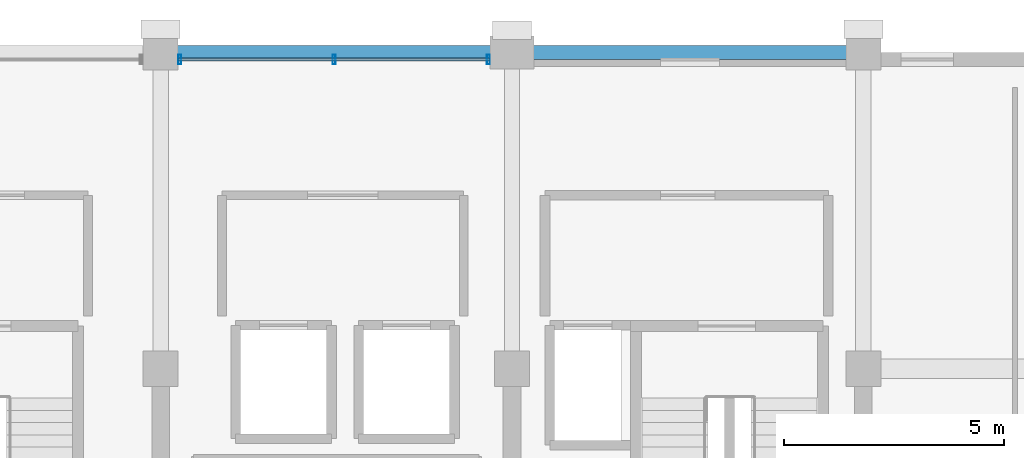
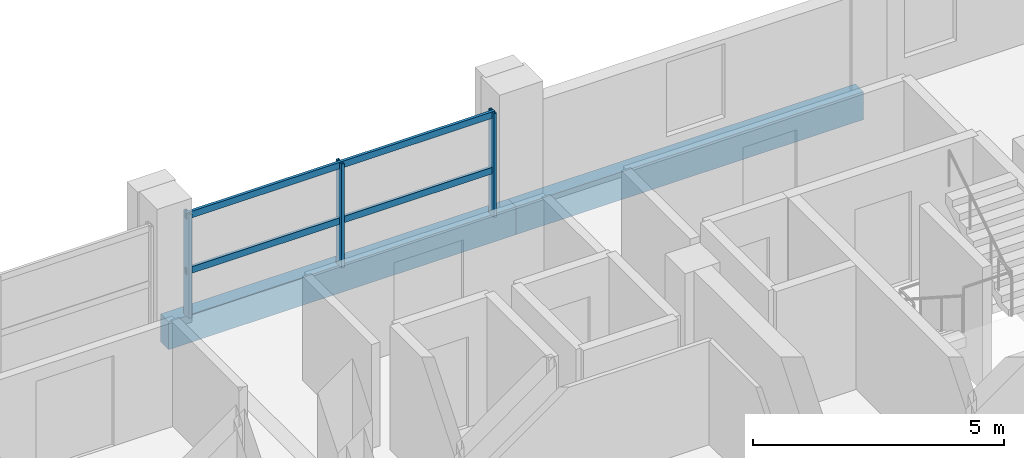
# One storey, part 17 of 23: 5 members, 2 beams, 1 element without a shape of its own.
"""IFC4 building model written with IfcOpenShell, lengths in metres."""

from ifc_helpers import new_model, si_unit, direction, frame, origin, origin_2d, place, context, subcontext, project, spatial, rectangle, hollow_rectangle, extrude, material, material_profile, profile_set, type_object, element, aggregate, save


model = new_model("IFC4")

# Units and contexts
model_context = context("Model", 3, precision=1e-05, world=origin(), true_north=direction((0.0, 1.0)))
body_context = subcontext(model_context, "Body", "Model", "MODEL_VIEW")
ifc_project = project(units=[si_unit("LENGTHUNIT", "METRE"), si_unit("AREAUNIT", "SQUARE_METRE"), si_unit("VOLUMEUNIT", "CUBIC_METRE"), si_unit("PLANEANGLEUNIT", "RADIAN"), si_unit("MASSUNIT", "GRAM", prefix="KILO")], contexts=[model_context])

# Site, building, storey
site_placement = place(None, origin())
site = spatial("IfcSite", under=ifc_project, at=site_placement, CompositionType="ELEMENT")
building_placement = place(site_placement, origin())
building = spatial("IfcBuilding", under=site, at=building_placement, Name="Akrevak Sports Hall", CompositionType="ELEMENT")
storey_placement = place(building_placement, frame((0.0, 0.0, 43.800048828125)))
storey = spatial("IfcBuildingStorey", under=building, at=storey_placement, Name="L10", CompositionType="ELEMENT", Elevation=43.800048828125)

# Curtain wall, members
ifc_material_1 = material(Name="Anodized Bronze Aluminium & Low-E Glass", Category="aluminium")
curtain_wall_type = type_object("IfcCurtainWallType", Name="ARC-CW-TWR-64x30", PredefinedType="NOTDEFINED", material=ifc_material_1)
curtain_wall_placement = place(storey_placement, origin())
curtain_wall = element("IfcCurtainWall", 1, at=curtain_wall_placement, inside=storey, type_object=curtain_wall_type, Name="Curtain Wall CW-L10-N21", PredefinedType="NOTDEFINED")
ifc_material_2 = material(Name="Anodized Bronze Aluminium", Category="aluminium")
ifc_material_profile_1 = material_profile(ifc_material_2, hollow_rectangle(XDim=0.06494140625, YDim=0.219970703125, WallThickness=0.00439453125, at=origin_2d()), Name="CWM 65x220", Category="aluminium")
ifc_profile_set_1 = profile_set([ifc_material_profile_1], Name="Anodized Bronze Aluminium")
member_type_1 = type_object("IfcMemberType", Name="ARC-CWM-70x160", PredefinedType="MULLION", material=ifc_profile_set_1)
member_1_placement = place(storey_placement, frame((91.4599609375, 69.43994140625, 0.0), z_axis=(0.0, 0.0, 1.0), x_axis=(-1.0, 0.0, 0.0)))
member_1 = element("IfcMember", 2, at=member_1_placement, type_object=member_type_1, Name="Curtain Wall Mullion CW-L10-N21-M1", PredefinedType="MULLION", context=body_context, shape_type="SweptSolid", body=[
    extrude(hollow_rectangle(XDim=0.06494140625, YDim=0.219970703125, WallThickness=0.00439453125, at=origin_2d()), origin(), (0.0, 0.0, 1.0), 2.530029296875),
])
member_2_placement = place(storey_placement, frame((87.949951171875, 69.43994140625, 0.0), z_axis=(0.0, 0.0, 1.0), x_axis=(-1.0, 0.0, 0.0)))
member_2 = element("IfcMember", 3, at=member_2_placement, type_object=member_type_1, Name="Curtain Wall Mullion CW-L10-N21-M2", PredefinedType="MULLION", context=body_context, shape_type="SweptSolid", body=[
    extrude(hollow_rectangle(XDim=0.06494140625, YDim=0.219970703125, WallThickness=0.00439453125, at=origin_2d()), origin(), (0.0, 0.0, 1.0), 2.530029296875),
])
member_3_placement = place(storey_placement, frame((84.43994140625, 69.43994140625, 0.0), z_axis=(0.0, 0.0, 1.0), x_axis=(-1.0, 0.0, 0.0)))
member_3 = element("IfcMember", 4, at=member_3_placement, type_object=member_type_1, Name="Curtain Wall Mullion CW-L10-N21-M3", PredefinedType="MULLION", context=body_context, shape_type="SweptSolid", body=[
    extrude(hollow_rectangle(XDim=0.06494140625, YDim=0.219970703125, WallThickness=0.00439453125, at=origin_2d()), origin(), (0.0, 0.0, 1.0), 2.530029296875),
])
ifc_material_profile_2 = material_profile(ifc_material_2, hollow_rectangle(XDim=0.06494140625, YDim=0.159912109375, WallThickness=0.00390625, at=origin_2d()), Name="CWT 65x160", Category="aluminium")
ifc_profile_set_2 = profile_set([ifc_material_profile_2], Name="Anodized Bronze Aluminium")
member_type_2 = type_object("IfcMemberType", Name="ARC-CWT-70x130", PredefinedType="USERDEFINED", material=ifc_profile_set_2)
member_4_placement = place(storey_placement, frame((91.5, 69.43994140625, 1.099853515625), z_axis=(-1.0, 0.0, 0.0), x_axis=(0.0, -1.0, 0.0)))
member_4 = element("IfcMember", 5, at=member_4_placement, type_object=member_type_2, Name="Curtain Wall Transom CW-L10-N21-T1", ObjectType="TRANSOM", PredefinedType="USERDEFINED", context=body_context, shape_type="SweptSolid", body=[
    extrude(hollow_rectangle(XDim=0.06494140625, YDim=0.159912109375, WallThickness=0.00390625, at=origin_2d()), origin(), (0.0, 0.0, 1.0), 7.10009765625),
])
member_5_placement = place(storey_placement, frame((91.5, 69.43994140625, 2.449951171875), z_axis=(-1.0, 0.0, 0.0), x_axis=(0.0, -1.0, 0.0)))
member_5 = element("IfcMember", 6, at=member_5_placement, type_object=member_type_2, Name="Curtain Wall Transom CW-L10-N21-T2", ObjectType="TRANSOM", PredefinedType="USERDEFINED", context=body_context, shape_type="SweptSolid", body=[
    extrude(hollow_rectangle(XDim=0.06494140625, YDim=0.159912109375, WallThickness=0.00390625, at=origin_2d()), origin(), (0.0, 0.0, 1.0), 7.10009765625),
])
aggregate(curtain_wall, [member_1, member_2, member_3, member_4, member_5])

# Beams
ifc_material_3 = material(Name="Concrete C40/50", Category="concrete")
ifc_material_profile_3 = material_profile(ifc_material_3, rectangle(XDim=0.320068359375, YDim=0.679931640625, at=origin_2d()), Name="SPD 320x680", Category="concrete")
ifc_profile_set_3 = profile_set([ifc_material_profile_3], Name="Concrete C40/50")
beam_type = type_object("IfcBeamType", Name="STR-SPD-RC320x680", PredefinedType="SPANDREL", material=ifc_profile_set_3)
for number, where, z_axis, x_axis, name in (
    (7, (84.0, 69.60009765625, -0.340087890625), (1.0, 0.0, 0.0), (0.0, 1.0, 0.0), "Girder K/12-13 (L10)"),
    (8, (92.0, 69.60009765625, -0.340087890625), (1.0, 0.0, 0.0), (0.0, 1.0, 0.0), "Girder K/13-14 (L10)"),
):
    element("IfcBeam", number, at=place(storey_placement, frame(where, z_axis=z_axis, x_axis=x_axis)), inside=storey, type_object=beam_type, Name=name, PredefinedType="SPANDREL", context=body_context, shape_type="SweptSolid", body=[
        extrude(rectangle(XDim=0.320068359375, YDim=0.679931640625, at=origin_2d()), origin(), (0.0, 0.0, 1.0), 8.0),
    ])

save(model, "model.ifc")
